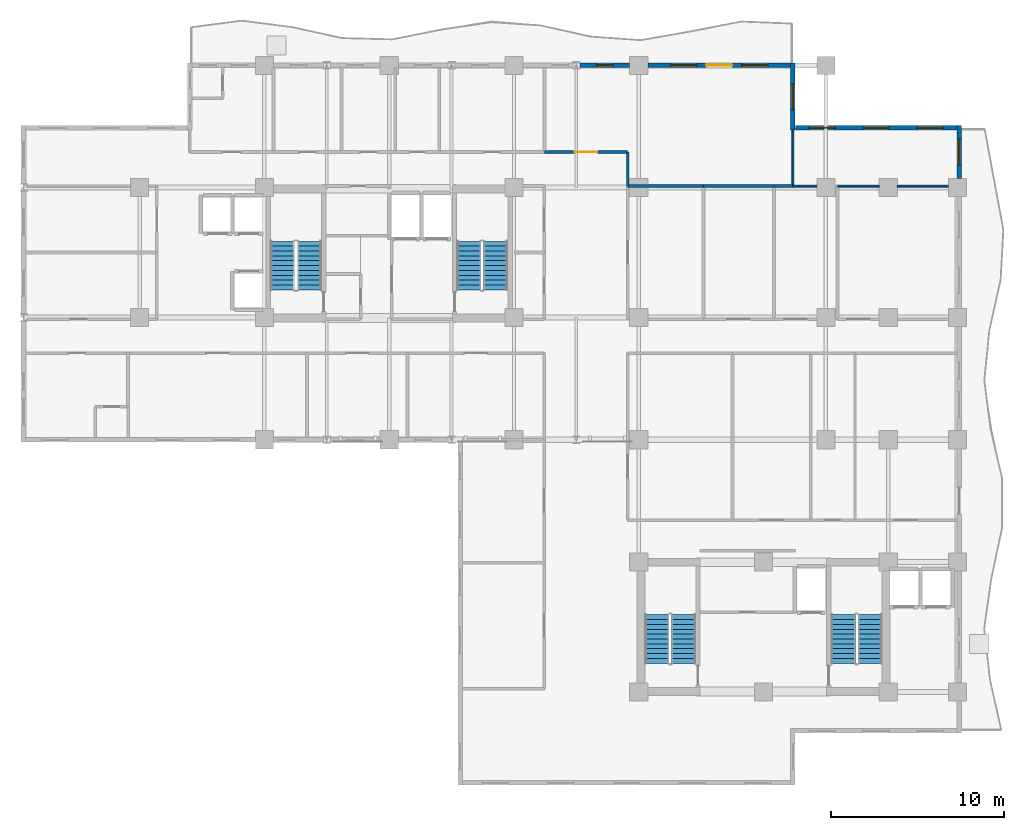
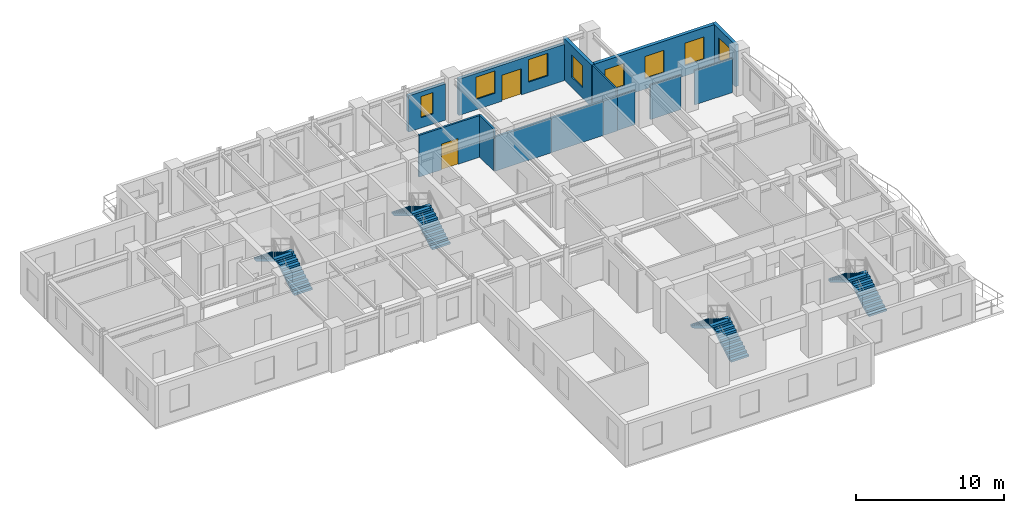
# One storey, part 9 of 13: 14 walls, 8 stair flights, 8 windows, 2 doors, 10 openings, 4 elements without a shape of their own.
"""IFC4 building model written with IfcOpenShell, lengths in metres."""

from ifc_helpers import new_model, si_unit, direction, frame, frame_2d, origin, place, context, subcontext, project, spatial, polyline, rectangle, outline, extrude, material, layer, layer_set, type_object, element, fill, aggregate, save


model = new_model("IFC4")

# Units and contexts
model_context = context("Model", 3, precision=1e-05, world=origin(), true_north=direction((0.0, 1.0)))
body_context = subcontext(model_context, "Body", "Model", "MODEL_VIEW")
ifc_project = project(units=[si_unit("LENGTHUNIT", "METRE"), si_unit("AREAUNIT", "SQUARE_METRE"), si_unit("VOLUMEUNIT", "CUBIC_METRE"), si_unit("PLANEANGLEUNIT", "RADIAN"), si_unit("MASSUNIT", "GRAM", prefix="KILO")], contexts=[model_context])

# Site, building, storey
site_placement = place(None, origin())
site = spatial("IfcSite", under=ifc_project, at=site_placement, CompositionType="ELEMENT")
building_placement = place(site_placement, origin())
building = spatial("IfcBuilding", under=site, at=building_placement, Name="Kaliganga Portal Commons", CompositionType="ELEMENT")
storey_placement = place(building_placement, frame((0.0, 0.0, 180.89990234375)))
storey = spatial("IfcBuildingStorey", under=building, at=storey_placement, Name="L46", CompositionType="ELEMENT", Elevation=180.89990234375)

# Wall, opening, window
ifc_material_1 = material(Name="Insulated Aluminium-Clad Spandrel Assembly", Category="aluminium")
ifc_layer_1 = layer(ifc_material_1, 0.260009765625)
ifc_layer_set_1 = layer_set([ifc_layer_1], Name="Insulated Aluminium-Clad Spandrel Assembly")
wall_type_1 = type_object("IfcWallType", Name="WL-EXT-SPAND-260", PredefinedType="STANDARD", material=ifc_layer_set_1)
wall_1_placement = place(storey_placement, frame((54.5, 39.72998046875, 0.0), z_axis=(0.0, 0.0, 1.0), x_axis=(0.0, -1.0, 0.0)))
wall_1 = element("IfcWall", 1, at=wall_1_placement, inside=storey, type_object=wall_type_1, Name="Exterior Envelope Wall L46 P1-E03-S6", PredefinedType="STANDARD", context=body_context, shape_type="SweptSolid", body=[
    extrude(rectangle(XDim=3.053955078125, YDim=0.260009765625, at=frame_2d((1.52685546875, 0.0))), origin(), (0.0, 0.0, 1.0), 3.440185546875),
])
opening_1_placement = place(wall_1_placement, frame((0.777099609375, 0.0, 0.85009765625)))
opening_1 = element("IfcOpeningElement", 2, at=opening_1_placement, cuts=wall_1, Name="Opening W-02", PredefinedType="OPENING", context=body_context, shape_type="SweptSolid", body=[
    extrude(rectangle(XDim=1.5, YDim=1.85009765625, at=frame_2d((0.75, 0.925048828125))), frame((0.0, 0.14013671875, 0.0), z_axis=(0.0, -1.0, 0.0), x_axis=(1.0, 0.0, 0.0)), (0.0, 0.0, 1.0), 0.280029296875),
])
ifc_material_2 = material(Name="Thermally Broken Aluminium and Low-E Double Glazing", Category="aluminium")
window_type_1 = type_object("IfcWindowType", Name="WIN-STD-1500", PartitioningType="DOUBLE_PANEL_VERTICAL", PredefinedType="WINDOW", material=ifc_material_2)
window_1_placement = place(opening_1_placement, origin())
window_1 = element("IfcWindow", 3, at=window_1_placement, inside=storey, type_object=window_type_1, Name="Facade Window L46-P1E03S6-00", OverallHeight=1.85009765625, OverallWidth=1.5, PartitioningType="SINGLE_PANEL", PredefinedType="WINDOW", context=body_context, shape_type="SweptSolid", body=[
    extrude(rectangle(XDim=1.5, YDim=1.85009765625, at=frame_2d((0.75, 0.925048828125))), frame((0.0, 0.030029296875, 0.0), z_axis=(0.0, -1.0, 0.0), x_axis=(1.0, 0.0, 0.0)), (0.0, 0.0, 1.0), 0.06005859375),
])
fill(opening_1, window_1)

# Wall, openings, windows
wall_2_placement = place(storey_placement, frame((45.034912109375, 39.60009765625, 0.0), z_axis=(0.0, 0.0, 1.0), x_axis=(1.0, 0.0, 0.0)))
wall_2 = element("IfcWall", 4, at=wall_2_placement, inside=storey, type_object=wall_type_1, Name="Exterior Envelope Wall L46 P1-E04-S1", PredefinedType="STANDARD", context=body_context, shape_type="SweptSolid", body=[
    extrude(rectangle(XDim=9.330078125, YDim=0.260009765625, at=frame_2d((4.6650390625, 0.0))), origin(), (0.0, 0.0, 1.0), 3.440185546875),
])
opening_2_placement = place(wall_2_placement, frame((0.804931640625, 0.0, 0.85009765625)))
opening_2 = element("IfcOpeningElement", 5, at=opening_2_placement, cuts=wall_2, Name="Opening W-02", PredefinedType="OPENING", context=body_context, shape_type="SweptSolid", body=[
    extrude(rectangle(XDim=1.5, YDim=1.85009765625, at=frame_2d((0.75, 0.925048828125))), frame((0.0, 0.14013671875, 0.0), z_axis=(0.0, -1.0, 0.0), x_axis=(1.0, 0.0, 0.0)), (0.0, 0.0, 1.0), 0.280029296875),
])
opening_3_placement = place(wall_2_placement, frame((3.9150390625, 0.0, 0.85009765625)))
opening_3 = element("IfcOpeningElement", 6, at=opening_3_placement, cuts=wall_2, Name="Opening W-02", PredefinedType="OPENING", context=body_context, shape_type="SweptSolid", body=[
    extrude(rectangle(XDim=1.5, YDim=1.85009765625, at=frame_2d((0.75, 0.925048828125))), frame((0.0, 0.14013671875, 0.0), z_axis=(0.0, -1.0, 0.0), x_axis=(1.0, 0.0, 0.0)), (0.0, 0.0, 1.0), 0.280029296875),
])
opening_4_placement = place(wall_2_placement, frame((7.02490234375, 0.0, 0.85009765625)))
opening_4 = element("IfcOpeningElement", 7, at=opening_4_placement, cuts=wall_2, Name="Opening W-02", PredefinedType="OPENING", context=body_context, shape_type="SweptSolid", body=[
    extrude(rectangle(XDim=1.5, YDim=1.85009765625, at=frame_2d((0.75, 0.925048828125))), frame((0.0, 0.14013671875, 0.0), z_axis=(0.0, -1.0, 0.0), x_axis=(1.0, 0.0, 0.0)), (0.0, 0.0, 1.0), 0.280029296875),
])
window_2_placement = place(opening_2_placement, origin())
window_2 = element("IfcWindow", 8, at=window_2_placement, inside=storey, type_object=window_type_1, Name="Facade Window L46-P1E04S1-00", OverallHeight=1.85009765625, OverallWidth=1.5, PartitioningType="SINGLE_PANEL", PredefinedType="WINDOW", context=body_context, shape_type="SweptSolid", body=[
    extrude(rectangle(XDim=1.5, YDim=1.85009765625, at=frame_2d((0.75, 0.925048828125))), frame((0.0, 0.030029296875, 0.0), z_axis=(0.0, -1.0, 0.0), x_axis=(1.0, 0.0, 0.0)), (0.0, 0.0, 1.0), 0.06005859375),
])
fill(opening_2, window_2)
window_3_placement = place(opening_3_placement, origin())
window_3 = element("IfcWindow", 9, at=window_3_placement, inside=storey, type_object=window_type_1, Name="Facade Window L46-P1E04S1-01", OverallHeight=1.85009765625, OverallWidth=1.5, PartitioningType="SINGLE_PANEL", PredefinedType="WINDOW", context=body_context, shape_type="SweptSolid", body=[
    extrude(rectangle(XDim=1.5, YDim=1.85009765625, at=frame_2d((0.75, 0.925048828125))), frame((0.0, 0.030029296875, 0.0), z_axis=(0.0, -1.0, 0.0), x_axis=(1.0, 0.0, 0.0)), (0.0, 0.0, 1.0), 0.06005859375),
])
fill(opening_3, window_3)
window_4_placement = place(opening_4_placement, origin())
window_4 = element("IfcWindow", 10, at=window_4_placement, inside=storey, type_object=window_type_1, Name="Facade Window L46-P1E04S1-02", OverallHeight=1.85009765625, OverallWidth=1.5, PartitioningType="SINGLE_PANEL", PredefinedType="WINDOW", context=body_context, shape_type="SweptSolid", body=[
    extrude(rectangle(XDim=1.5, YDim=1.85009765625, at=frame_2d((0.75, 0.925048828125))), frame((0.0, 0.030029296875, 0.0), z_axis=(0.0, -1.0, 0.0), x_axis=(1.0, 0.0, 0.0)), (0.0, 0.0, 1.0), 0.06005859375),
])
fill(opening_4, window_4)

# Wall, opening, window
wall_3_placement = place(storey_placement, frame((44.89990234375, 43.330078125, 0.0), z_axis=(0.0, 0.0, 1.0), x_axis=(0.0, -1.0, 0.0)))
wall_3 = element("IfcWall", 11, at=wall_3_placement, inside=storey, type_object=wall_type_1, Name="Exterior Envelope Wall L46 P1-E05-S1", PredefinedType="STANDARD", context=body_context, shape_type="SweptSolid", body=[
    extrude(rectangle(XDim=3.860107421875, YDim=0.260009765625, at=frame_2d((1.93017578125, 0.0))), origin(), (0.0, 0.0, 1.0), 3.440185546875),
])
opening_5_placement = place(wall_3_placement, frame((1.179931640625, 0.0, 0.85009765625)))
opening_5 = element("IfcOpeningElement", 12, at=opening_5_placement, cuts=wall_3, Name="Opening W-02", PredefinedType="OPENING", context=body_context, shape_type="SweptSolid", body=[
    extrude(rectangle(XDim=1.5, YDim=1.85009765625, at=frame_2d((0.75, 0.925048828125))), frame((0.0, 0.14013671875, 0.0), z_axis=(0.0, -1.0, 0.0), x_axis=(1.0, 0.0, 0.0)), (0.0, 0.0, 1.0), 0.280029296875),
])
window_5_placement = place(opening_5_placement, origin())
window_5 = element("IfcWindow", 13, at=window_5_placement, inside=storey, type_object=window_type_1, Name="Facade Window L46-P1E05S1-00", OverallHeight=1.85009765625, OverallWidth=1.5, PartitioningType="SINGLE_PANEL", PredefinedType="WINDOW", context=body_context, shape_type="SweptSolid", body=[
    extrude(rectangle(XDim=1.5, YDim=1.85009765625, at=frame_2d((0.75, 0.925048828125))), frame((0.0, 0.030029296875, 0.0), z_axis=(0.0, -1.0, 0.0), x_axis=(1.0, 0.0, 0.0)), (0.0, 0.0, 1.0), 0.06005859375),
])
fill(opening_5, window_5)

# Wall, openings, door, windows
wall_4_placement = place(storey_placement, frame((36.52587890625, 43.199951171875, 0.0), z_axis=(0.0, 0.0, 1.0), x_axis=(1.0, 0.0, 0.0)))
wall_4 = element("IfcWall", 14, at=wall_4_placement, inside=storey, type_object=wall_type_1, Name="Exterior Envelope Wall L46 P1-E06-S1", PredefinedType="STANDARD", context=body_context, shape_type="SweptSolid", body=[
    extrude(rectangle(XDim=8.239013671875, YDim=0.260009765625, at=frame_2d((4.11962890625, 0.0))), origin(), (0.0, 0.0, 1.0), 2.989990234375),
])
opening_6_placement = place(wall_4_placement, frame((3.368896484375, 0.0, 0.0)))
opening_6 = element("IfcOpeningElement", 15, at=opening_6_placement, cuts=wall_4, Name="Opening BD-01", PredefinedType="OPENING", context=body_context, shape_type="SweptSolid", body=[
    extrude(rectangle(XDim=1.5, YDim=2.14990234375, at=frame_2d((0.75, 1.074951171875))), frame((0.0, 0.14013671875, 0.0), z_axis=(0.0, -1.0, 0.0), x_axis=(1.0, 0.0, 0.0)), (0.0, 0.0, 1.0), 0.280029296875),
])
opening_7_placement = place(wall_4_placement, frame((1.309814453125, 0.0, 0.85009765625)))
opening_7 = element("IfcOpeningElement", 16, at=opening_7_placement, cuts=wall_4, Name="Opening W-02", PredefinedType="OPENING", context=body_context, shape_type="SweptSolid", body=[
    extrude(rectangle(XDim=1.5, YDim=1.85009765625, at=frame_2d((0.75, 0.925048828125))), frame((0.0, 0.14013671875, 0.0), z_axis=(0.0, -1.0, 0.0), x_axis=(1.0, 0.0, 0.0)), (0.0, 0.0, 1.0), 0.280029296875),
])
opening_8_placement = place(wall_4_placement, frame((5.42919921875, 0.0, 0.85009765625)))
opening_8 = element("IfcOpeningElement", 17, at=opening_8_placement, cuts=wall_4, Name="Opening W-02", PredefinedType="OPENING", context=body_context, shape_type="SweptSolid", body=[
    extrude(rectangle(XDim=1.5, YDim=1.85009765625, at=frame_2d((0.75, 0.925048828125))), frame((0.0, 0.14013671875, 0.0), z_axis=(0.0, -1.0, 0.0), x_axis=(1.0, 0.0, 0.0)), (0.0, 0.0, 1.0), 0.280029296875),
])
ifc_material_3 = material(Name="Anodized Aluminium and Laminated Safety Glass", Category="aluminium")
door_type_1 = type_object("IfcDoorType", Name="DR-BALC-1500", OperationType="SLIDING_TO_LEFT", PredefinedType="DOOR", material=ifc_material_3)
door_1_placement = place(opening_6_placement, origin())
door_1 = element("IfcDoor", 18, at=door_1_placement, inside=storey, type_object=door_type_1, Name="Balcony Sliding Door L46 balc_north", OperationType="SLIDING_TO_LEFT", OverallHeight=2.14990234375, OverallWidth=1.5, PredefinedType="DOOR", context=body_context, shape_type="SweptSolid", body=[
    extrude(rectangle(XDim=1.5, YDim=2.14990234375, at=frame_2d((0.75, 1.074951171875))), frame((0.0, 0.02490234375, 0.0), z_axis=(0.0, -1.0, 0.0), x_axis=(1.0, 0.0, 0.0)), (0.0, 0.0, 1.0), 0.050048828125),
])
fill(opening_6, door_1)
window_6_placement = place(opening_7_placement, origin())
window_6 = element("IfcWindow", 19, at=window_6_placement, inside=storey, type_object=window_type_1, Name="Facade Window L46-P1E06S1-00", OverallHeight=1.85009765625, OverallWidth=1.5, PartitioningType="SINGLE_PANEL", PredefinedType="WINDOW", context=body_context, shape_type="SweptSolid", body=[
    extrude(rectangle(XDim=1.5, YDim=1.85009765625, at=frame_2d((0.75, 0.925048828125))), frame((0.0, 0.030029296875, 0.0), z_axis=(0.0, -1.0, 0.0), x_axis=(1.0, 0.0, 0.0)), (0.0, 0.0, 1.0), 0.06005859375),
])
fill(opening_7, window_6)
window_7_placement = place(opening_8_placement, origin())
window_7 = element("IfcWindow", 20, at=window_7_placement, inside=storey, type_object=window_type_1, Name="Facade Window L46-P1E06S1-01", OverallHeight=1.85009765625, OverallWidth=1.5, PartitioningType="SINGLE_PANEL", PredefinedType="WINDOW", context=body_context, shape_type="SweptSolid", body=[
    extrude(rectangle(XDim=1.5, YDim=1.85009765625, at=frame_2d((0.75, 0.925048828125))), frame((0.0, 0.030029296875, 0.0), z_axis=(0.0, -1.0, 0.0), x_axis=(1.0, 0.0, 0.0)), (0.0, 0.0, 1.0), 0.06005859375),
])
fill(opening_8, window_7)

# Wall, opening, window
wall_5_placement = place(storey_placement, frame((32.60302734375, 43.199951171875, 0.0), z_axis=(0.0, 0.0, 1.0), x_axis=(1.0, 0.0, 0.0)))
wall_5 = element("IfcWall", 21, at=wall_5_placement, inside=storey, type_object=wall_type_1, Name="Exterior Envelope Wall L46 P1-E06-S2", PredefinedType="STANDARD", context=body_context, shape_type="SweptSolid", body=[
    extrude(rectangle(XDim=2.87109375, YDim=0.260009765625, at=frame_2d((1.435546875, 0.0))), origin(), (0.0, 0.0, 1.0), 2.989990234375),
])
opening_9_placement = place(wall_5_placement, frame((0.96044921875, 0.0, 0.85009765625)))
opening_9 = element("IfcOpeningElement", 22, at=opening_9_placement, cuts=wall_5, Name="Opening W-04", PredefinedType="OPENING", context=body_context, shape_type="SweptSolid", body=[
    extrude(rectangle(XDim=0.949951171875, YDim=1.75, at=frame_2d((0.47509765625, 0.875))), frame((0.0, 0.14013671875, 0.0), z_axis=(0.0, -1.0, 0.0), x_axis=(1.0, 0.0, 0.0)), (0.0, 0.0, 1.0), 0.280029296875),
])
window_type_2 = type_object("IfcWindowType", Name="WIN-NARROW-950", PartitioningType="SINGLE_PANEL", PredefinedType="WINDOW", material=ifc_material_2)
window_8_placement = place(opening_9_placement, origin())
window_8 = element("IfcWindow", 23, at=window_8_placement, inside=storey, type_object=window_type_2, Name="Facade Window L46-P1E06S2-00", OverallHeight=1.75, OverallWidth=0.949951171875, PartitioningType="SINGLE_PANEL", PredefinedType="WINDOW", context=body_context, shape_type="SweptSolid", body=[
    extrude(rectangle(XDim=0.949951171875, YDim=1.75, at=frame_2d((0.47509765625, 0.875))), frame((0.0, 0.030029296875, 0.0), z_axis=(0.0, -1.0, 0.0), x_axis=(1.0, 0.0, 0.0)), (0.0, 0.0, 1.0), 0.06005859375),
])
fill(opening_9, window_8)

# Wall, opening, door
ifc_material_4 = material(Name="Fire-Rated Gypsum Board on Steel Stud", Category="steel")
ifc_layer_2 = layer(ifc_material_4, 0.14990234375)
ifc_layer_set_2 = layer_set([ifc_layer_2], Name="Fire-Rated Gypsum Board on Steel Stud")
wall_type_2 = type_object("IfcWallType", Name="WL-PART-CORR-150", PredefinedType="PARTITIONING", material=ifc_layer_set_2)
wall_6_placement = place(storey_placement, frame((30.56005859375, 38.199951171875, 0.0), z_axis=(0.0, 0.0, 1.0), x_axis=(1.0, 0.0, 0.0)))
wall_6 = element("IfcWall", 24, at=wall_6_placement, inside=storey, type_object=wall_type_2, Name="Interior Partition L46-028", PredefinedType="PARTITIONING", context=body_context, shape_type="SweptSolid", body=[
    extrude(rectangle(XDim=4.800048828125, YDim=0.14990234375, at=frame_2d((2.39990234375, 0.0))), origin(), (0.0, 0.0, 1.0), 3.440185546875),
])
opening_10_placement = place(wall_6_placement, frame((1.75, 0.0, 0.0)))
opening_10 = element("IfcOpeningElement", 25, at=opening_10_placement, cuts=wall_6, Name="Opening RD-03", PredefinedType="OPENING", context=body_context, shape_type="SweptSolid", body=[
    extrude(rectangle(XDim=1.300048828125, YDim=2.1201171875, at=frame_2d((0.64990234375, 1.06005859375))), frame((0.0, 0.0849609375, 0.0), z_axis=(0.0, -1.0, 0.0), x_axis=(1.0, 0.0, 0.0)), (0.0, 0.0, 1.0), 0.169921875),
])
ifc_material_5 = material(Name="Glazed Timber Seminar Vision Door", Category="wood")
door_type_2 = type_object("IfcDoorType", Name="DR-STUDY-1300", OperationType="DOUBLE_DOOR_SINGLE_SWING", PredefinedType="DOOR", material=ifc_material_5)
door_2_placement = place(opening_10_placement, origin())
door_2 = element("IfcDoor", 26, at=door_2_placement, inside=storey, type_object=door_type_2, Name="Interior Door L46-ANE01", OperationType="DOUBLE_DOOR_SINGLE_SWING", OverallHeight=2.1201171875, OverallWidth=1.300048828125, PredefinedType="DOOR", context=body_context, shape_type="SweptSolid", body=[
    extrude(rectangle(XDim=1.300048828125, YDim=2.1201171875, at=frame_2d((0.64990234375, 1.06005859375))), frame((0.0, 0.02490234375, 0.0), z_axis=(0.0, -1.0, 0.0), x_axis=(1.0, 0.0, 0.0)), (0.0, 0.0, 1.0), 0.050048828125),
])
fill(opening_10, door_2)

# Walls
wall_7_placement = place(storey_placement, frame((35.360107421875, 36.239990234375, 0.0), z_axis=(0.0, 0.0, 1.0), x_axis=(0.0, 1.0, 0.0)))
element("IfcWall", 27, at=wall_7_placement, inside=storey, type_object=wall_type_2, Name="Interior Partition L46-048", PredefinedType="PARTITIONING", context=body_context, shape_type="SweptSolid", body=[
    extrude(rectangle(XDim=1.9599609375, YDim=0.14990234375, at=frame_2d((0.97998046875, 0.0))), origin(), (0.0, 0.0, 1.0), 3.440185546875),
])
ifc_material_6 = material(Name="Moisture-Resistant Gypsum Partition", Category="gypsum")
ifc_layer_3 = layer(ifc_material_6, 0.114990234375)
ifc_layer_set_3 = layer_set([ifc_layer_3], Name="Moisture-Resistant Gypsum Partition")
wall_type_3 = type_object("IfcWallType", Name="WL-PART-ROOM-115", PredefinedType="PARTITIONING", material=ifc_layer_set_3)
wall_8_placement = place(storey_placement, frame((47.47998046875, 36.239990234375, 0.0), z_axis=(0.0, 0.0, 1.0), x_axis=(1.0, 0.0, 0.0)))
element("IfcWall", 28, at=wall_8_placement, inside=storey, type_object=wall_type_3, Name="Interior Partition L46-061", PredefinedType="PARTITIONING", context=body_context, shape_type="SweptSolid", body=[
    extrude(rectangle(XDim=2.39501953125, YDim=0.114990234375, at=frame_2d((1.197509765625, 0.0))), origin(), (0.0, 0.0, 1.0), 2.840087890625),
])
wall_9_placement = place(storey_placement, frame((50.925048828125, 36.239990234375, 0.0), z_axis=(0.0, 0.0, 1.0), x_axis=(1.0, 0.0, 0.0)))
element("IfcWall", 29, at=wall_9_placement, inside=storey, type_object=wall_type_3, Name="Interior Partition L46-062", PredefinedType="PARTITIONING", context=body_context, shape_type="SweptSolid", body=[
    extrude(rectangle(XDim=2.949951171875, YDim=0.114990234375, at=frame_2d((1.47509765625, 0.0))), origin(), (0.0, 0.0, 1.0), 2.840087890625),
])
wall_10_placement = place(storey_placement, frame((44.89990234375, 36.239990234375, 0.0), z_axis=(0.0, 0.0, 1.0), x_axis=(0.0, 1.0, 0.0)))
element("IfcWall", 30, at=wall_10_placement, inside=storey, type_object=wall_type_3, Name="Interior Partition L46-063", PredefinedType="PARTITIONING", context=body_context, shape_type="SweptSolid", body=[
    extrude(rectangle(XDim=3.22802734375, YDim=0.114990234375, at=frame_2d((1.614013671875, 0.0))), origin(), (0.0, 0.0, 1.0), 3.440185546875),
])
wall_11_placement = place(storey_placement, frame((44.89990234375, 36.239990234375, 0.0), z_axis=(0.0, 0.0, 1.0), x_axis=(1.0, 0.0, 0.0)))
element("IfcWall", 31, at=wall_11_placement, inside=storey, type_object=wall_type_3, Name="Interior Partition L46-079", PredefinedType="PARTITIONING", context=body_context, shape_type="SweptSolid", body=[
    extrude(rectangle(XDim=1.375, YDim=0.114990234375, at=frame_2d((0.6875, 0.0))), origin(), (0.0, 0.0, 1.0), 2.840087890625),
])
ifc_material_7 = material(Name="Twin-Stud Acoustic Gypsum Partition", Category="gypsum")
ifc_layer_4 = layer(ifc_material_7, 0.1650390625)
ifc_layer_set_4 = layer_set([ifc_layer_4], Name="Twin-Stud Acoustic Gypsum Partition")
wall_type_4 = type_object("IfcWallType", Name="WL-PART-UNIT-165", PredefinedType="PARTITIONING", material=ifc_layer_set_4)
wall_12_placement = place(storey_placement, frame((35.360107421875, 36.239990234375, 0.0), z_axis=(0.0, 0.0, 1.0), x_axis=(1.0, 0.0, 0.0)))
element("IfcWall", 32, at=wall_12_placement, inside=storey, type_object=wall_type_4, Name="Interior Partition L46-074", PredefinedType="PARTITIONING", context=body_context, shape_type="SweptSolid", body=[
    extrude(rectangle(XDim=4.3798828125, YDim=0.1650390625, at=frame_2d((2.18994140625, 0.0))), origin(), (0.0, 0.0, 1.0), 2.840087890625),
])
wall_13_placement = place(storey_placement, frame((39.739990234375, 36.239990234375, 0.0), z_axis=(0.0, 0.0, 1.0), x_axis=(1.0, 0.0, 0.0)))
element("IfcWall", 33, at=wall_13_placement, inside=storey, type_object=wall_type_4, Name="Interior Partition L46-075", PredefinedType="PARTITIONING", context=body_context, shape_type="SweptSolid", body=[
    extrude(rectangle(XDim=4.06005859375, YDim=0.1650390625, at=frame_2d((2.030029296875, 0.0))), origin(), (0.0, 0.0, 1.0), 2.840087890625),
])
wall_14_placement = place(storey_placement, frame((43.800048828125, 36.239990234375, 0.0), z_axis=(0.0, 0.0, 1.0), x_axis=(1.0, 0.0, 0.0)))
element("IfcWall", 34, at=wall_14_placement, inside=storey, type_object=wall_type_4, Name="Interior Partition L46-081", PredefinedType="PARTITIONING", context=body_context, shape_type="SweptSolid", body=[
    extrude(rectangle(XDim=1.099853515625, YDim=0.1650390625, at=frame_2d((0.5498046875, 0.0))), origin(), (0.0, 0.0, 1.0), 2.840087890625),
])

# Stair, stair flights
ifc_material_8 = material(Name="Concrete C40/50", Category="concrete")
stair_type = type_object("IfcStairType", Name="ST-CORE-DOGLEG", PredefinedType="HALF_TURN_STAIR", material=ifc_material_8)
stair_1_placement = place(storey_placement, origin())
stair_1 = element("IfcStair", 35, at=stair_1_placement, inside=storey, type_object=stair_type, Name="L46 Protected Exit Stair ST-A1", PredefinedType="HALF_TURN_STAIR")
stair_flight_type = type_object("IfcStairFlightType", Name="STF-RC-1400", PredefinedType="STRAIGHT", material=ifc_material_8)
stair_flight_1_placement = place(storey_placement, frame((17.0, 30.25, 0.0), z_axis=(0.0, 0.0, 1.0), x_axis=(0.0, 1.0, 0.0)))
stair_flight_1 = element("IfcStairFlight", 36, at=stair_flight_1_placement, type_object=stair_flight_type, Name="ST-A1 flight 1", NumberOfRisers=11, NumberOfTreads=10, PredefinedType="STRAIGHT", RiserHeight=0.168181818, TreadLength=0.28, context=body_context, shape_type="SweptSolid", body=[
    extrude(outline(polyline([(0.0, 0.0), (0.0, 0.168212890625), (0.280029296875, 0.168212890625), (0.280029296875, 0.33642578125), (0.56005859375, 0.33642578125), (0.56005859375, 0.504638671875), (0.840087890625, 0.504638671875), (0.840087890625, 0.672607421875), (1.1201171875, 0.672607421875), (1.1201171875, 0.8408203125), (1.39990234375, 0.8408203125), (1.39990234375, 1.009033203125), (1.679931640625, 1.009033203125), (1.679931640625, 1.17724609375), (1.9599609375, 1.17724609375), (1.9599609375, 1.345458984375), (2.239990234375, 1.345458984375), (2.239990234375, 1.513671875), (2.52001953125, 1.513671875), (2.52001953125, 1.681884765625), (2.800048828125, 1.681884765625), (2.800048828125, 1.85009765625), (2.800048828125, 1.5068359375), (0.291015625, 0.0), (0.0, 0.0)])), frame((0.0, 0.699951171875, 0.0), z_axis=(0.0, -1.0, 0.0), x_axis=(1.0, 0.0, 0.0)), (0.0, 0.0, 1.0), 1.39990234375),
])
stair_flight_2_placement = place(storey_placement, frame((15.449951171875, 33.050048828125, 1.85009765625), z_axis=(0.0, 0.0, 1.0), x_axis=(0.0, -1.0, 0.0)))
stair_flight_2 = element("IfcStairFlight", 37, at=stair_flight_2_placement, type_object=stair_flight_type, Name="ST-A1 flight 2", NumberOfRisers=11, NumberOfTreads=10, PredefinedType="STRAIGHT", RiserHeight=0.168181818, TreadLength=0.28, context=body_context, shape_type="SweptSolid", body=[
    extrude(outline(polyline([(0.0, 0.0), (0.0, 0.168212890625), (0.280029296875, 0.168212890625), (0.280029296875, 0.33642578125), (0.56005859375, 0.33642578125), (0.56005859375, 0.504638671875), (0.840087890625, 0.504638671875), (0.840087890625, 0.672607421875), (1.1201171875, 0.672607421875), (1.1201171875, 0.8408203125), (1.39990234375, 0.8408203125), (1.39990234375, 1.009033203125), (1.679931640625, 1.009033203125), (1.679931640625, 1.17724609375), (1.9599609375, 1.17724609375), (1.9599609375, 1.345458984375), (2.239990234375, 1.345458984375), (2.239990234375, 1.513671875), (2.52001953125, 1.513671875), (2.52001953125, 1.681884765625), (2.800048828125, 1.681884765625), (2.800048828125, 1.85009765625), (2.800048828125, 1.5068359375), (0.291015625, 0.0), (0.0, 0.0)])), frame((0.0, 0.699951171875, 0.0), z_axis=(0.0, -1.0, 0.0), x_axis=(1.0, 0.0, 0.0)), (0.0, 0.0, 1.0), 1.39990234375),
])
aggregate(stair_1, [stair_flight_1, stair_flight_2])

stair_2_placement = place(storey_placement, origin())
stair_2 = element("IfcStair", 38, at=stair_2_placement, inside=storey, type_object=stair_type, Name="L46 Protected Exit Stair ST-A2", PredefinedType="HALF_TURN_STAIR")
stair_flight_3_placement = place(storey_placement, frame((27.75, 30.25, 0.0), z_axis=(0.0, 0.0, 1.0), x_axis=(0.0, 1.0, 0.0)))
stair_flight_3 = element("IfcStairFlight", 39, at=stair_flight_3_placement, type_object=stair_flight_type, Name="ST-A2 flight 1", NumberOfRisers=11, NumberOfTreads=10, PredefinedType="STRAIGHT", RiserHeight=0.168181818, TreadLength=0.28, context=body_context, shape_type="SweptSolid", body=[
    extrude(outline(polyline([(0.0, 0.0), (0.0, 0.168212890625), (0.280029296875, 0.168212890625), (0.280029296875, 0.33642578125), (0.56005859375, 0.33642578125), (0.56005859375, 0.504638671875), (0.840087890625, 0.504638671875), (0.840087890625, 0.672607421875), (1.1201171875, 0.672607421875), (1.1201171875, 0.8408203125), (1.39990234375, 0.8408203125), (1.39990234375, 1.009033203125), (1.679931640625, 1.009033203125), (1.679931640625, 1.17724609375), (1.9599609375, 1.17724609375), (1.9599609375, 1.345458984375), (2.239990234375, 1.345458984375), (2.239990234375, 1.513671875), (2.52001953125, 1.513671875), (2.52001953125, 1.681884765625), (2.800048828125, 1.681884765625), (2.800048828125, 1.85009765625), (2.800048828125, 1.5068359375), (0.291015625, 0.0), (0.0, 0.0)])), frame((0.0, 0.699951171875, 0.0), z_axis=(0.0, -1.0, 0.0), x_axis=(1.0, 0.0, 0.0)), (0.0, 0.0, 1.0), 1.39990234375),
])
stair_flight_4_placement = place(storey_placement, frame((26.199951171875, 33.050048828125, 1.85009765625), z_axis=(0.0, 0.0, 1.0), x_axis=(0.0, -1.0, 0.0)))
stair_flight_4 = element("IfcStairFlight", 40, at=stair_flight_4_placement, type_object=stair_flight_type, Name="ST-A2 flight 2", NumberOfRisers=11, NumberOfTreads=10, PredefinedType="STRAIGHT", RiserHeight=0.168181818, TreadLength=0.28, context=body_context, shape_type="SweptSolid", body=[
    extrude(outline(polyline([(0.0, 0.0), (0.0, 0.168212890625), (0.280029296875, 0.168212890625), (0.280029296875, 0.33642578125), (0.56005859375, 0.33642578125), (0.56005859375, 0.504638671875), (0.840087890625, 0.504638671875), (0.840087890625, 0.672607421875), (1.1201171875, 0.672607421875), (1.1201171875, 0.8408203125), (1.39990234375, 0.8408203125), (1.39990234375, 1.009033203125), (1.679931640625, 1.009033203125), (1.679931640625, 1.17724609375), (1.9599609375, 1.17724609375), (1.9599609375, 1.345458984375), (2.239990234375, 1.345458984375), (2.239990234375, 1.513671875), (2.52001953125, 1.513671875), (2.52001953125, 1.681884765625), (2.800048828125, 1.681884765625), (2.800048828125, 1.85009765625), (2.800048828125, 1.5068359375), (0.291015625, 0.0), (0.0, 0.0)])), frame((0.0, 0.699951171875, 0.0), z_axis=(0.0, -1.0, 0.0), x_axis=(1.0, 0.0, 0.0)), (0.0, 0.0, 1.0), 1.39990234375),
])
aggregate(stair_2, [stair_flight_3, stair_flight_4])

stair_3_placement = place(storey_placement, origin())
stair_3 = element("IfcStair", 41, at=stair_3_placement, inside=storey, type_object=stair_type, Name="L46 Protected Exit Stair ST-B1", PredefinedType="HALF_TURN_STAIR")
stair_flight_5_placement = place(storey_placement, frame((38.60009765625, 8.699951171875, 0.0), z_axis=(0.0, 0.0, 1.0), x_axis=(0.0, 1.0, 0.0)))
stair_flight_5 = element("IfcStairFlight", 42, at=stair_flight_5_placement, type_object=stair_flight_type, Name="ST-B1 flight 1", NumberOfRisers=11, NumberOfTreads=10, PredefinedType="STRAIGHT", RiserHeight=0.168181818, TreadLength=0.28, context=body_context, shape_type="SweptSolid", body=[
    extrude(outline(polyline([(0.0, 0.0), (0.0, 0.168212890625), (0.280029296875, 0.168212890625), (0.280029296875, 0.33642578125), (0.56005859375, 0.33642578125), (0.56005859375, 0.504638671875), (0.840087890625, 0.504638671875), (0.840087890625, 0.672607421875), (1.1201171875, 0.672607421875), (1.1201171875, 0.8408203125), (1.39990234375, 0.8408203125), (1.39990234375, 1.009033203125), (1.679931640625, 1.009033203125), (1.679931640625, 1.17724609375), (1.9599609375, 1.17724609375), (1.9599609375, 1.345458984375), (2.239990234375, 1.345458984375), (2.239990234375, 1.513671875), (2.52001953125, 1.513671875), (2.52001953125, 1.681884765625), (2.800048828125, 1.681884765625), (2.800048828125, 1.85009765625), (2.800048828125, 1.5068359375), (0.291015625, 0.0), (0.0, 0.0)])), frame((0.0, 0.699951171875, 0.0), z_axis=(0.0, -1.0, 0.0), x_axis=(1.0, 0.0, 0.0)), (0.0, 0.0, 1.0), 1.39990234375),
])
stair_flight_6_placement = place(storey_placement, frame((37.050048828125, 11.5, 1.85009765625), z_axis=(0.0, 0.0, 1.0), x_axis=(0.0, -1.0, 0.0)))
stair_flight_6 = element("IfcStairFlight", 43, at=stair_flight_6_placement, type_object=stair_flight_type, Name="ST-B1 flight 2", NumberOfRisers=11, NumberOfTreads=10, PredefinedType="STRAIGHT", RiserHeight=0.168181818, TreadLength=0.28, context=body_context, shape_type="SweptSolid", body=[
    extrude(outline(polyline([(0.0, 0.0), (0.0, 0.168212890625), (0.280029296875, 0.168212890625), (0.280029296875, 0.33642578125), (0.56005859375, 0.33642578125), (0.56005859375, 0.504638671875), (0.840087890625, 0.504638671875), (0.840087890625, 0.672607421875), (1.1201171875, 0.672607421875), (1.1201171875, 0.8408203125), (1.39990234375, 0.8408203125), (1.39990234375, 1.009033203125), (1.679931640625, 1.009033203125), (1.679931640625, 1.17724609375), (1.9599609375, 1.17724609375), (1.9599609375, 1.345458984375), (2.239990234375, 1.345458984375), (2.239990234375, 1.513671875), (2.52001953125, 1.513671875), (2.52001953125, 1.681884765625), (2.800048828125, 1.681884765625), (2.800048828125, 1.85009765625), (2.800048828125, 1.5068359375), (0.291015625, 0.0), (0.0, 0.0)])), frame((0.0, 0.699951171875, 0.0), z_axis=(0.0, -1.0, 0.0), x_axis=(1.0, 0.0, 0.0)), (0.0, 0.0, 1.0), 1.39990234375),
])
aggregate(stair_3, [stair_flight_5, stair_flight_6])

stair_4_placement = place(storey_placement, origin())
stair_4 = element("IfcStair", 44, at=stair_4_placement, inside=storey, type_object=stair_type, Name="L46 Protected Exit Stair ST-B2", PredefinedType="HALF_TURN_STAIR")
stair_flight_7_placement = place(storey_placement, frame((49.35009765625, 8.699951171875, 0.0), z_axis=(0.0, 0.0, 1.0), x_axis=(0.0, 1.0, 0.0)))
stair_flight_7 = element("IfcStairFlight", 45, at=stair_flight_7_placement, type_object=stair_flight_type, Name="ST-B2 flight 1", NumberOfRisers=11, NumberOfTreads=10, PredefinedType="STRAIGHT", RiserHeight=0.168181818, TreadLength=0.28, context=body_context, shape_type="SweptSolid", body=[
    extrude(outline(polyline([(0.0, 0.0), (0.0, 0.168212890625), (0.280029296875, 0.168212890625), (0.280029296875, 0.33642578125), (0.56005859375, 0.33642578125), (0.56005859375, 0.504638671875), (0.840087890625, 0.504638671875), (0.840087890625, 0.672607421875), (1.1201171875, 0.672607421875), (1.1201171875, 0.8408203125), (1.39990234375, 0.8408203125), (1.39990234375, 1.009033203125), (1.679931640625, 1.009033203125), (1.679931640625, 1.17724609375), (1.9599609375, 1.17724609375), (1.9599609375, 1.345458984375), (2.239990234375, 1.345458984375), (2.239990234375, 1.513671875), (2.52001953125, 1.513671875), (2.52001953125, 1.681884765625), (2.800048828125, 1.681884765625), (2.800048828125, 1.85009765625), (2.800048828125, 1.5068359375), (0.291015625, 0.0), (0.0, 0.0)])), frame((0.0, 0.699951171875, 0.0), z_axis=(0.0, -1.0, 0.0), x_axis=(1.0, 0.0, 0.0)), (0.0, 0.0, 1.0), 1.39990234375),
])
stair_flight_8_placement = place(storey_placement, frame((47.800048828125, 11.5, 1.85009765625), z_axis=(0.0, 0.0, 1.0), x_axis=(0.0, -1.0, 0.0)))
stair_flight_8 = element("IfcStairFlight", 46, at=stair_flight_8_placement, type_object=stair_flight_type, Name="ST-B2 flight 2", NumberOfRisers=11, NumberOfTreads=10, PredefinedType="STRAIGHT", RiserHeight=0.168181818, TreadLength=0.28, context=body_context, shape_type="SweptSolid", body=[
    extrude(outline(polyline([(0.0, 0.0), (0.0, 0.168212890625), (0.280029296875, 0.168212890625), (0.280029296875, 0.33642578125), (0.56005859375, 0.33642578125), (0.56005859375, 0.504638671875), (0.840087890625, 0.504638671875), (0.840087890625, 0.672607421875), (1.1201171875, 0.672607421875), (1.1201171875, 0.8408203125), (1.39990234375, 0.8408203125), (1.39990234375, 1.009033203125), (1.679931640625, 1.009033203125), (1.679931640625, 1.17724609375), (1.9599609375, 1.17724609375), (1.9599609375, 1.345458984375), (2.239990234375, 1.345458984375), (2.239990234375, 1.513671875), (2.52001953125, 1.513671875), (2.52001953125, 1.681884765625), (2.800048828125, 1.681884765625), (2.800048828125, 1.85009765625), (2.800048828125, 1.5068359375), (0.291015625, 0.0), (0.0, 0.0)])), frame((0.0, 0.699951171875, 0.0), z_axis=(0.0, -1.0, 0.0), x_axis=(1.0, 0.0, 0.0)), (0.0, 0.0, 1.0), 1.39990234375),
])
aggregate(stair_4, [stair_flight_7, stair_flight_8])

save(model, "model.ifc")
